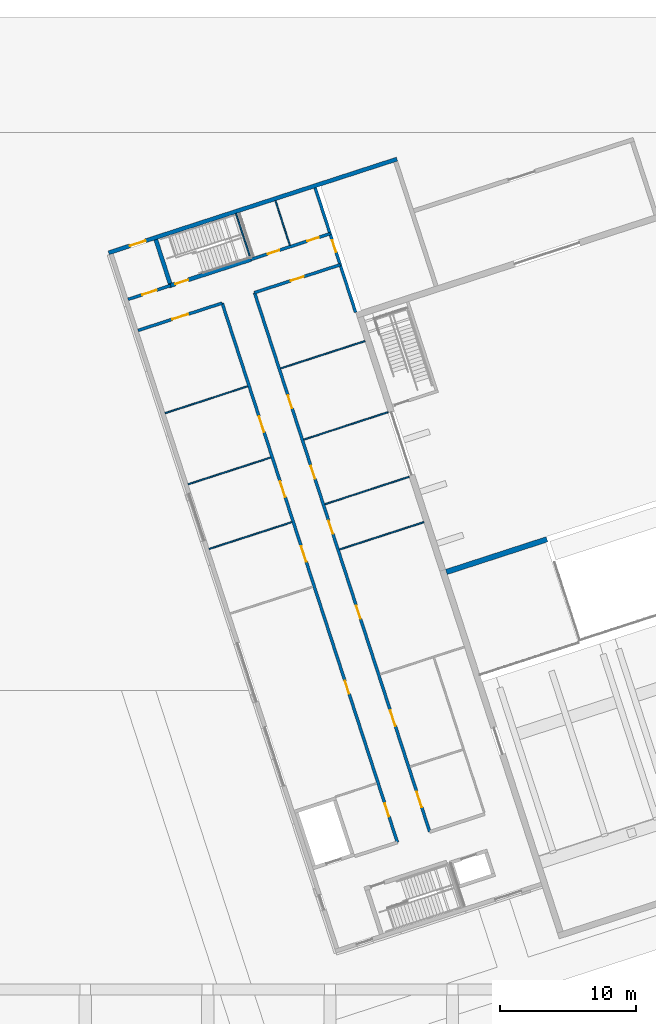
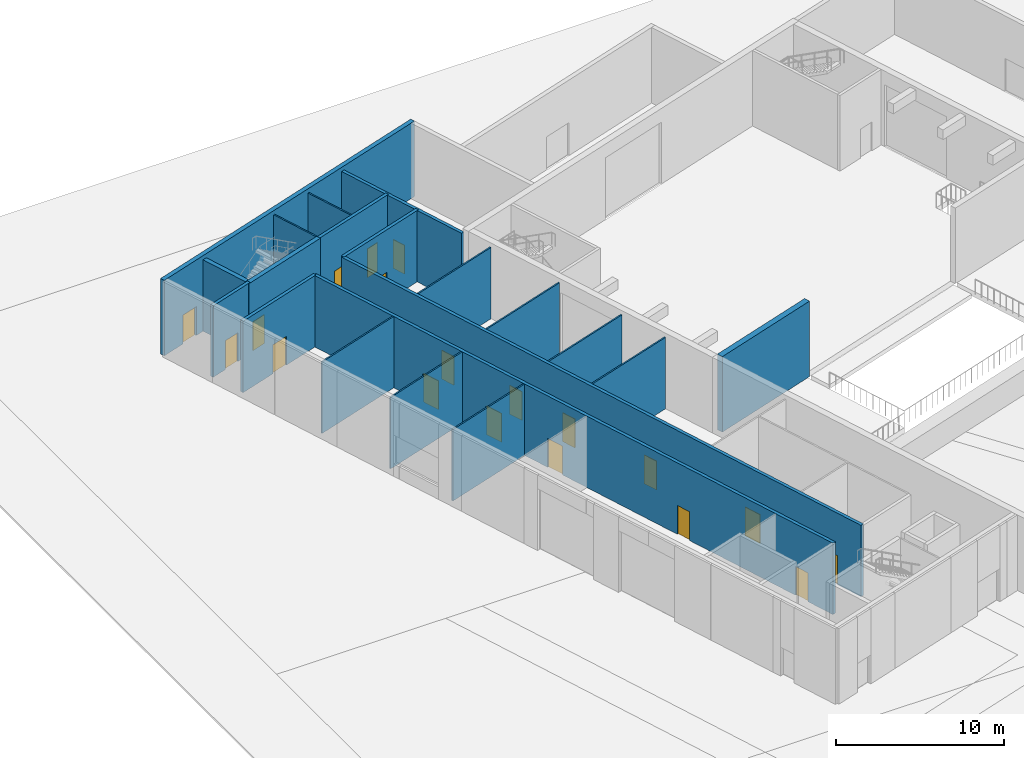
# One storey, part 54 of 72: 20 walls, 19 doors, 19 openings.
"""IFC4 building model written with IfcOpenShell, lengths in metres."""

from ifc_helpers import new_model, si_unit, direction, frame, frame_2d, origin, place, context, subcontext, project, spatial, rectangle, extrude, material, layer, layer_set, type_object, element, fill, save


model = new_model("IFC4")

# Units and contexts
model_context = context("Model", 3, precision=1e-05, world=origin(), true_north=direction((0.0, 1.0)))
body_context = subcontext(model_context, "Body", "Model", "MODEL_VIEW")
ifc_project = project(units=[si_unit("LENGTHUNIT", "METRE"), si_unit("AREAUNIT", "SQUARE_METRE"), si_unit("VOLUMEUNIT", "CUBIC_METRE"), si_unit("PLANEANGLEUNIT", "RADIAN"), si_unit("MASSUNIT", "GRAM", prefix="KILO")], contexts=[model_context])

# Site, building, storey
site_placement = place(None, origin())
site = spatial("IfcSite", under=ifc_project, at=site_placement, CompositionType="ELEMENT")
building_placement = place(site_placement, origin())
building = spatial("IfcBuilding", under=site, at=building_placement, Name="Tuart Plaza Theatre", CompositionType="ELEMENT")
storey_placement = place(building_placement, origin())
storey = spatial("IfcBuildingStorey", under=building, at=storey_placement, Name="L00", CompositionType="ELEMENT", Elevation=0.0)

# Walls
ifc_material_1 = material(Name="Plasterboard on steel stud", Category="steel")
ifc_layer_1 = layer(ifc_material_1, 0.10009765625)
ifc_layer_set_1 = layer_set([ifc_layer_1], Name="PARTITION STD100")
wall_type_1 = type_object("IfcWallType", Name="PARTITION STD100", PredefinedType="PARTITIONING", material=ifc_layer_set_1)
wall_1_placement = place(storey_placement, frame((33.701416015625, 70.35107421875, 0.0), z_axis=(0.0, 0.0, 1.0), x_axis=(0.951058024796, 0.309012351648, 0.0)))
element("IfcWall", 1, at=wall_1_placement, inside=storey, type_object=wall_type_1, Name="P221", PredefinedType="PARTITIONING", context=body_context, shape_type="SweptSolid", body=[
    extrude(rectangle(XDim=6.514892578125, YDim=0.10009765625, at=frame_2d((3.25732421875, 0.0))), origin(), (0.0, 0.0, 1.0), 5.199951171875),
])
wall_2_placement = place(storey_placement, frame((24.110107421875, 70.38916015625, 0.0), z_axis=(0.0, 0.0, 1.0), x_axis=(0.951059053869, 0.309009184417, 0.0)))
element("IfcWall", 2, at=wall_2_placement, inside=storey, type_object=wall_type_1, Name="P222", PredefinedType="PARTITIONING", context=body_context, shape_type="SweptSolid", body=[
    extrude(rectangle(XDim=6.39013671875, YDim=0.10009765625, at=frame_2d((3.195068359375, 0.0))), origin(), (0.0, 0.0, 1.0), 5.199951171875),
])
wall_3_placement = place(storey_placement, frame((32.619873046875, 73.6796875, 0.0), z_axis=(0.0, 0.0, 1.0), x_axis=(0.951058024796, 0.309012351648, 0.0)))
element("IfcWall", 3, at=wall_3_placement, inside=storey, type_object=wall_type_1, Name="P223", PredefinedType="PARTITIONING", context=body_context, shape_type="SweptSolid", body=[
    extrude(rectangle(XDim=6.514892578125, YDim=0.10009765625, at=frame_2d((3.25732421875, 0.0))), origin(), (0.0, 0.0, 1.0), 5.199951171875),
])
wall_4_placement = place(storey_placement, frame((22.565185546875, 75.144287109375, 0.0), z_axis=(0.0, 0.0, 1.0), x_axis=(0.951055405517, 0.309020412977, 0.0)))
element("IfcWall", 4, at=wall_4_placement, inside=storey, type_object=wall_type_1, Name="P224", PredefinedType="PARTITIONING", context=body_context, shape_type="SweptSolid", body=[
    extrude(rectangle(XDim=6.389892578125, YDim=0.10009765625, at=frame_2d((3.19482421875, 0.0))), origin(), (0.0, 0.0, 1.0), 5.199951171875),
])
wall_5_placement = place(storey_placement, frame((31.07470703125, 78.43505859375, 0.0), z_axis=(0.0, 0.0, 1.0), x_axis=(0.951058024796, 0.309012351648, 0.0)))
element("IfcWall", 5, at=wall_5_placement, inside=storey, type_object=wall_type_1, Name="P225", PredefinedType="PARTITIONING", context=body_context, shape_type="SweptSolid", body=[
    extrude(rectangle(XDim=6.514892578125, YDim=0.10009765625, at=frame_2d((3.25732421875, 0.0))), origin(), (0.0, 0.0, 1.0), 5.199951171875),
])
wall_6_placement = place(storey_placement, frame((20.865478515625, 80.375244140625, 0.0), z_axis=(0.0, 0.0, 1.0), x_axis=(0.951055405517, 0.309020412977, 0.0)))
element("IfcWall", 6, at=wall_6_placement, inside=storey, type_object=wall_type_1, Name="P226", PredefinedType="PARTITIONING", context=body_context, shape_type="SweptSolid", body=[
    extrude(rectangle(XDim=6.389892578125, YDim=0.10009765625, at=frame_2d((3.19482421875, 0.0))), origin(), (0.0, 0.0, 1.0), 5.199951171875),
])
wall_7_placement = place(storey_placement, frame((29.375, 83.665771484375, 0.0), z_axis=(0.0, 0.0, 1.0), x_axis=(0.951061602966, 0.309001338773, 0.0)))
element("IfcWall", 7, at=wall_7_placement, inside=storey, type_object=wall_type_1, Name="P227", PredefinedType="PARTITIONING", context=body_context, shape_type="SweptSolid", body=[
    extrude(rectangle(XDim=6.51513671875, YDim=0.10009765625, at=frame_2d((3.257568359375, 0.0))), origin(), (0.0, 0.0, 1.0), 5.199951171875),
])
wall_8_placement = place(storey_placement, frame((30.0478515625, 92.727294921875, 0.0), z_axis=(0.0, 0.0, 1.0), x_axis=(-0.309021877853, 0.951054929543, 0.0)))
element("IfcWall", 8, at=wall_8_placement, inside=storey, type_object=wall_type_1, Name="P230", PredefinedType="PARTITIONING", context=body_context, shape_type="SweptSolid", body=[
    extrude(rectangle(XDim=3.43994140625, YDim=0.10009765625, at=frame_2d((1.719970703125, 0.0))), origin(), (0.0, 0.0, 1.0), 5.199951171875),
])
ifc_material_2 = material(Name="Plasterboard on steel stud", Category="steel")
ifc_layer_2 = layer(ifc_material_2, 0.10009765625)
ifc_layer_set_2 = layer_set([ifc_layer_2], Name="PARTITION STD100 FRL 120/120/120")
wall_type_2 = type_object("IfcWallType", Name="PARTITION STD100 FRL 120/120/120", PredefinedType="PARTITIONING", material=ifc_layer_set_2)
wall_9_placement = place(storey_placement, frame((27.134765625, 91.82275390625, 0.0), z_axis=(0.0, 0.0, 1.0), x_axis=(-0.308980533303, 0.951068362443, 0.0)))
element("IfcWall", 9, at=wall_9_placement, inside=storey, type_object=wall_type_2, Name="P229", PredefinedType="PARTITIONING", context=body_context, shape_type="SweptSolid", body=[
    extrude(rectangle(XDim=3.39990234375, YDim=0.10009765625, at=frame_2d((1.699951171875, 0.0))), origin(), (0.0, 0.0, 1.0), 5.199951171875),
])
ifc_material_3 = material(Name="Concrete N50 (50 MPa)", Category="concrete")
ifc_layer_3 = layer(ifc_material_3, 0.39990234375)
ifc_layer_set_3 = layer_set([ifc_layer_3], Name="SHEAR WALL RC400 N50 FRL 120/120/120")
wall_type_3 = type_object("IfcWallType", Name="SHEAR WALL RC400 N50 FRL 120/120/120", PredefinedType="SHEAR", material=ifc_layer_set_3)
wall_10_placement = place(storey_placement, frame((41.5615234375, 68.69921875, 0.0), z_axis=(0.0, 0.0, 1.0), x_axis=(0.95105806443, 0.309012229664, 0.0)))
element("IfcWall", 10, at=wall_10_placement, inside=storey, type_object=wall_type_3, Name="W50", PredefinedType="SHEAR", context=body_context, shape_type="SweptSolid", body=[
    extrude(rectangle(XDim=7.775146484375, YDim=0.39990234375, at=frame_2d((3.8876953125, 0.0))), origin(), (0.0, 0.0, 1.0), 5.5),
])

# Wall, openings, doors
ifc_material_4 = material(Name="Concrete N40 (40 MPa)", Category="concrete")
ifc_layer_4 = layer(ifc_material_4, 0.219970703125)
ifc_layer_set_4 = layer_set([ifc_layer_4], Name="WALL RC220 LB FRL 120/120/120")
wall_type_4 = type_object("IfcWallType", Name="WALL RC220 LB FRL 120/120/120", PredefinedType="SOLIDWALL", material=ifc_layer_set_4)
wall_11_placement = place(storey_placement, frame((37.95556640625, 48.8115234375, 0.0), z_axis=(0.0, 0.0, 1.0), x_axis=(-0.30901736393, 0.951056396219, 0.0)))
wall_11 = element("IfcWall", 11, at=wall_11_placement, inside=storey, type_object=wall_type_4, Name="W503", PredefinedType="SOLIDWALL", context=body_context, shape_type="SweptSolid", body=[
    extrude(rectangle(XDim=41.699951171875, YDim=0.219970703125, at=frame_2d((20.85009765625, 0.0))), origin(), (0.0, 0.0, 1.0), 5.199951171875),
])
opening_1_placement = place(wall_11_placement, frame((2.009033203125, 0.0, 0.0)))
opening_1 = element("IfcOpeningElement", 12, at=opening_1_placement, cuts=wall_11, Name="Opening L00-022", PredefinedType="OPENING", context=body_context, shape_type="SweptSolid", body=[
    extrude(rectangle(XDim=1.0, YDim=2.10009765625, at=frame_2d((0.5, 1.050048828125))), frame((0.0, 0.119873046875, 0.0), z_axis=(0.0, -1.0, 0.0), x_axis=(1.0, 0.0, 0.0)), (0.0, 0.0, 1.0), 0.239990234375),
])
opening_2_placement = place(wall_11_placement, frame((11.49462890625, 0.0, 0.0)))
opening_2 = element("IfcOpeningElement", 13, at=opening_2_placement, cuts=wall_11, Name="Opening L00-023", PredefinedType="OPENING", context=body_context, shape_type="SweptSolid", body=[
    extrude(rectangle(XDim=1.0, YDim=2.10009765625, at=frame_2d((0.5, 1.050048828125))), frame((0.0, 0.119873046875, 0.0), z_axis=(0.0, -1.0, 0.0), x_axis=(1.0, 0.0, 0.0)), (0.0, 0.0, 1.0), 0.239990234375),
])
opening_3_placement = place(wall_11_placement, frame((21.699951171875, 0.0, 0.0)))
opening_3 = element("IfcOpeningElement", 14, at=opening_3_placement, cuts=wall_11, Name="Opening L00-024", PredefinedType="OPENING", context=body_context, shape_type="SweptSolid", body=[
    extrude(rectangle(XDim=1.199951171875, YDim=2.10009765625, at=frame_2d((0.60009765625, 1.050048828125))), frame((0.0, 0.119873046875, 0.0), z_axis=(0.0, -1.0, 0.0), x_axis=(1.0, 0.0, 0.0)), (0.0, 0.0, 1.0), 0.239990234375),
])
opening_4_placement = place(wall_11_placement, frame((26.699951171875, 0.0, 0.0)))
opening_4 = element("IfcOpeningElement", 15, at=opening_4_placement, cuts=wall_11, Name="Opening L00-025", PredefinedType="OPENING", context=body_context, shape_type="SweptSolid", body=[
    extrude(rectangle(XDim=1.199951171875, YDim=2.10009765625, at=frame_2d((0.60009765625, 1.050048828125))), frame((0.0, 0.119873046875, 0.0), z_axis=(0.0, -1.0, 0.0), x_axis=(1.0, 0.0, 0.0)), (0.0, 0.0, 1.0), 0.239990234375),
])
opening_5_placement = place(wall_11_placement, frame((31.738525390625, 0.0, 0.0)))
opening_5 = element("IfcOpeningElement", 16, at=opening_5_placement, cuts=wall_11, Name="Opening L00-026", PredefinedType="OPENING", context=body_context, shape_type="SweptSolid", body=[
    extrude(rectangle(XDim=1.199951171875, YDim=2.10009765625, at=frame_2d((0.60009765625, 1.050048828125))), frame((0.0, 0.119873046875, 0.0), z_axis=(0.0, -1.0, 0.0), x_axis=(1.0, 0.0, 0.0)), (0.0, 0.0, 1.0), 0.239990234375),
])
ifc_material_5 = material(Name="Timber", Category="wood")
door_type_1 = type_object("IfcDoorType", Name="DOOR 1000x2100 timber single swing FRL -/120/30", OperationType="SINGLE_SWING_LEFT", PredefinedType="DOOR", material=ifc_material_5)
door_1_placement = place(opening_1_placement, origin())
door_1 = element("IfcDoor", 17, at=door_1_placement, inside=storey, type_object=door_type_1, Name="L00-022", OperationType="SINGLE_SWING_LEFT", OverallHeight=2.10009765625, OverallWidth=1.0, PredefinedType="DOOR", context=body_context, shape_type="SweptSolid", body=[
    extrude(rectangle(XDim=1.0, YDim=2.10009765625, at=frame_2d((0.5, 1.050048828125))), frame((0.0, 0.02490234375, 0.0), z_axis=(0.0, -1.0, 0.0), x_axis=(1.0, 0.0, 0.0)), (0.0, 0.0, 1.0), 0.050048828125),
])
fill(opening_1, door_1)
door_2_placement = place(opening_2_placement, origin())
door_2 = element("IfcDoor", 18, at=door_2_placement, inside=storey, type_object=door_type_1, Name="L00-023", OperationType="SINGLE_SWING_RIGHT", OverallHeight=2.10009765625, OverallWidth=1.0, PredefinedType="DOOR", context=body_context, shape_type="SweptSolid", body=[
    extrude(rectangle(XDim=1.0, YDim=2.10009765625, at=frame_2d((0.5, 1.050048828125))), frame((0.0, 0.02490234375, 0.0), z_axis=(0.0, -1.0, 0.0), x_axis=(1.0, 0.0, 0.0)), (0.0, 0.0, 1.0), 0.050048828125),
])
fill(opening_2, door_2)
ifc_material_6 = material(Name="Timber", Category="wood")
door_type_2 = type_object("IfcDoorType", Name="DOOR 1200x2100 timber single swing FRL -/120/30", OperationType="SINGLE_SWING_LEFT", PredefinedType="DOOR", material=ifc_material_6)
door_3_placement = place(opening_3_placement, origin())
door_3 = element("IfcDoor", 19, at=door_3_placement, inside=storey, type_object=door_type_2, Name="L00-024", OperationType="SINGLE_SWING_LEFT", OverallHeight=2.10009765625, OverallWidth=1.199951171875, PredefinedType="DOOR", context=body_context, shape_type="SweptSolid", body=[
    extrude(rectangle(XDim=1.199951171875, YDim=2.10009765625, at=frame_2d((0.60009765625, 1.050048828125))), frame((0.0, 0.02490234375, 0.0), z_axis=(0.0, -1.0, 0.0), x_axis=(1.0, 0.0, 0.0)), (0.0, 0.0, 1.0), 0.050048828125),
])
fill(opening_3, door_3)
door_4_placement = place(opening_4_placement, origin())
door_4 = element("IfcDoor", 20, at=door_4_placement, inside=storey, type_object=door_type_2, Name="L00-025", OperationType="SINGLE_SWING_LEFT", OverallHeight=2.10009765625, OverallWidth=1.199951171875, PredefinedType="DOOR", context=body_context, shape_type="SweptSolid", body=[
    extrude(rectangle(XDim=1.199951171875, YDim=2.10009765625, at=frame_2d((0.60009765625, 1.050048828125))), frame((0.0, 0.02490234375, 0.0), z_axis=(0.0, -1.0, 0.0), x_axis=(1.0, 0.0, 0.0)), (0.0, 0.0, 1.0), 0.050048828125),
])
fill(opening_4, door_4)
door_5_placement = place(opening_5_placement, origin())
door_5 = element("IfcDoor", 21, at=door_5_placement, inside=storey, type_object=door_type_2, Name="L00-026", OperationType="SINGLE_SWING_LEFT", OverallHeight=2.10009765625, OverallWidth=1.199951171875, PredefinedType="DOOR", context=body_context, shape_type="SweptSolid", body=[
    extrude(rectangle(XDim=1.199951171875, YDim=2.10009765625, at=frame_2d((0.60009765625, 1.050048828125))), frame((0.0, 0.02490234375, 0.0), z_axis=(0.0, -1.0, 0.0), x_axis=(1.0, 0.0, 0.0)), (0.0, 0.0, 1.0), 0.050048828125),
])
fill(opening_5, door_5)

wall_12_placement = place(storey_placement, frame((40.333251953125, 49.583984375, 0.0), z_axis=(0.0, 0.0, 1.0), x_axis=(-0.309015643281, 0.951056955291, 0.0)))
wall_12 = element("IfcWall", 22, at=wall_12_placement, inside=storey, type_object=wall_type_4, Name="W504", PredefinedType="SOLIDWALL", context=body_context, shape_type="SweptSolid", body=[
    extrude(rectangle(XDim=41.7001953125, YDim=0.219970703125, at=frame_2d((20.85009765625, 0.0))), origin(), (0.0, 0.0, 1.0), 5.199951171875),
])
opening_6_placement = place(wall_12_placement, frame((1.89990234375, 0.0, 0.0)))
opening_6 = element("IfcOpeningElement", 23, at=opening_6_placement, cuts=wall_12, Name="Opening L00-028", PredefinedType="OPENING", context=body_context, shape_type="SweptSolid", body=[
    extrude(rectangle(XDim=1.199951171875, YDim=2.10009765625, at=frame_2d((0.60009765625, 1.050048828125))), frame((0.0, 0.119873046875, 0.0), z_axis=(0.0, -1.0, 0.0), x_axis=(1.0, 0.0, 0.0)), (0.0, 0.0, 1.0), 0.239990234375),
])
opening_7_placement = place(wall_12_placement, frame((8.185302734375, 0.0, 0.0)))
opening_7 = element("IfcOpeningElement", 24, at=opening_7_placement, cuts=wall_12, Name="Opening L00-029", PredefinedType="OPENING", context=body_context, shape_type="SweptSolid", body=[
    extrude(rectangle(XDim=1.199951171875, YDim=2.10009765625, at=frame_2d((0.60009765625, 1.050048828125))), frame((0.0, 0.119873046875, 0.0), z_axis=(0.0, -1.0, 0.0), x_axis=(1.0, 0.0, 0.0)), (0.0, 0.0, 1.0), 0.239990234375),
])
opening_8_placement = place(wall_12_placement, frame((16.47509765625, 0.0, 0.0)))
opening_8 = element("IfcOpeningElement", 25, at=opening_8_placement, cuts=wall_12, Name="Opening L00-030", PredefinedType="OPENING", context=body_context, shape_type="SweptSolid", body=[
    extrude(rectangle(XDim=1.0, YDim=2.10009765625, at=frame_2d((0.5, 1.050048828125))), frame((0.0, 0.119873046875, 0.0), z_axis=(0.0, -1.0, 0.0), x_axis=(1.0, 0.0, 0.0)), (0.0, 0.0, 1.0), 0.239990234375),
])
opening_9_placement = place(wall_12_placement, frame((23.050048828125, 0.0, 0.0)))
opening_9 = element("IfcOpeningElement", 26, at=opening_9_placement, cuts=wall_12, Name="Opening L00-031", PredefinedType="OPENING", context=body_context, shape_type="SweptSolid", body=[
    extrude(rectangle(XDim=1.0, YDim=2.10009765625, at=frame_2d((0.5, 1.050048828125))), frame((0.0, 0.119873046875, 0.0), z_axis=(0.0, -1.0, 0.0), x_axis=(1.0, 0.0, 0.0)), (0.0, 0.0, 1.0), 0.239990234375),
])
opening_10_placement = place(wall_12_placement, frame((27.300048828125, 0.0, 0.0)))
opening_10 = element("IfcOpeningElement", 27, at=opening_10_placement, cuts=wall_12, Name="Opening L00-032", PredefinedType="OPENING", context=body_context, shape_type="SweptSolid", body=[
    extrude(rectangle(XDim=1.0, YDim=2.10009765625, at=frame_2d((0.5, 1.050048828125))), frame((0.0, 0.119873046875, 0.0), z_axis=(0.0, -1.0, 0.0), x_axis=(1.0, 0.0, 0.0)), (0.0, 0.0, 1.0), 0.239990234375),
])
opening_11_placement = place(wall_12_placement, frame((32.761474609375, 0.0, 0.0)))
opening_11 = element("IfcOpeningElement", 28, at=opening_11_placement, cuts=wall_12, Name="Opening L00-033", PredefinedType="OPENING", context=body_context, shape_type="SweptSolid", body=[
    extrude(rectangle(XDim=1.0, YDim=2.10009765625, at=frame_2d((0.5, 1.050048828125))), frame((0.0, 0.119873046875, 0.0), z_axis=(0.0, -1.0, 0.0), x_axis=(1.0, 0.0, 0.0)), (0.0, 0.0, 1.0), 0.239990234375),
])
door_6_placement = place(opening_8_placement, frame((1.0, 0.0, 0.0), z_axis=(0.0, 0.0, 1.0), x_axis=(-1.0, 0.0, 0.0)))
door_6 = element("IfcDoor", 29, at=door_6_placement, inside=storey, type_object=door_type_1, Name="L00-030", OperationType="SINGLE_SWING_LEFT", OverallHeight=2.10009765625, OverallWidth=1.0, PredefinedType="DOOR", context=body_context, shape_type="SweptSolid", body=[
    extrude(rectangle(XDim=1.0, YDim=2.10009765625, at=frame_2d((0.5, 1.050048828125))), frame((0.0, 0.02490234375, 0.0), z_axis=(0.0, -1.0, 0.0), x_axis=(1.0, 0.0, 0.0)), (0.0, 0.0, 1.0), 0.050048828125),
])
fill(opening_8, door_6)
door_7_placement = place(opening_9_placement, frame((1.0, 0.0, 0.0), z_axis=(0.0, 0.0, 1.0), x_axis=(-1.0, 0.0, 0.0)))
door_7 = element("IfcDoor", 30, at=door_7_placement, inside=storey, type_object=door_type_1, Name="L00-031", OperationType="SINGLE_SWING_RIGHT", OverallHeight=2.10009765625, OverallWidth=1.0, PredefinedType="DOOR", context=body_context, shape_type="SweptSolid", body=[
    extrude(rectangle(XDim=1.0, YDim=2.10009765625, at=frame_2d((0.5, 1.050048828125))), frame((0.0, 0.02490234375, 0.0), z_axis=(0.0, -1.0, 0.0), x_axis=(1.0, 0.0, 0.0)), (0.0, 0.0, 1.0), 0.050048828125),
])
fill(opening_9, door_7)
door_8_placement = place(opening_10_placement, frame((1.0, 0.0, 0.0), z_axis=(0.0, 0.0, 1.0), x_axis=(-1.0, 0.0, 0.0)))
door_8 = element("IfcDoor", 31, at=door_8_placement, inside=storey, type_object=door_type_1, Name="L00-032", OperationType="SINGLE_SWING_RIGHT", OverallHeight=2.10009765625, OverallWidth=1.0, PredefinedType="DOOR", context=body_context, shape_type="SweptSolid", body=[
    extrude(rectangle(XDim=1.0, YDim=2.10009765625, at=frame_2d((0.5, 1.050048828125))), frame((0.0, 0.02490234375, 0.0), z_axis=(0.0, -1.0, 0.0), x_axis=(1.0, 0.0, 0.0)), (0.0, 0.0, 1.0), 0.050048828125),
])
fill(opening_10, door_8)
door_9_placement = place(opening_11_placement, frame((1.0, 0.0, 0.0), z_axis=(0.0, 0.0, 1.0), x_axis=(-1.0, 0.0, 0.0)))
door_9 = element("IfcDoor", 32, at=door_9_placement, inside=storey, type_object=door_type_1, Name="L00-033", OperationType="SINGLE_SWING_LEFT", OverallHeight=2.10009765625, OverallWidth=1.0, PredefinedType="DOOR", context=body_context, shape_type="SweptSolid", body=[
    extrude(rectangle(XDim=1.0, YDim=2.10009765625, at=frame_2d((0.5, 1.050048828125))), frame((0.0, 0.02490234375, 0.0), z_axis=(0.0, -1.0, 0.0), x_axis=(1.0, 0.0, 0.0)), (0.0, 0.0, 1.0), 0.050048828125),
])
fill(opening_11, door_9)
door_10_placement = place(opening_6_placement, frame((1.199951171875, 0.0, 0.0), z_axis=(0.0, 0.0, 1.0), x_axis=(-1.0, 0.0, 0.0)))
door_10 = element("IfcDoor", 33, at=door_10_placement, inside=storey, type_object=door_type_2, Name="L00-028", OperationType="SINGLE_SWING_LEFT", OverallHeight=2.10009765625, OverallWidth=1.199951171875, PredefinedType="DOOR", context=body_context, shape_type="SweptSolid", body=[
    extrude(rectangle(XDim=1.199951171875, YDim=2.10009765625, at=frame_2d((0.60009765625, 1.050048828125))), frame((0.0, 0.02490234375, 0.0), z_axis=(0.0, -1.0, 0.0), x_axis=(1.0, 0.0, 0.0)), (0.0, 0.0, 1.0), 0.050048828125),
])
fill(opening_6, door_10)
door_11_placement = place(opening_7_placement, frame((1.199951171875, 0.0, 0.0), z_axis=(0.0, 0.0, 1.0), x_axis=(-1.0, 0.0, 0.0)))
door_11 = element("IfcDoor", 34, at=door_11_placement, inside=storey, type_object=door_type_2, Name="L00-029", OperationType="SINGLE_SWING_LEFT", OverallHeight=2.10009765625, OverallWidth=1.199951171875, PredefinedType="DOOR", context=body_context, shape_type="SweptSolid", body=[
    extrude(rectangle(XDim=1.199951171875, YDim=2.10009765625, at=frame_2d((0.60009765625, 1.050048828125))), frame((0.0, 0.02490234375, 0.0), z_axis=(0.0, -1.0, 0.0), x_axis=(1.0, 0.0, 0.0)), (0.0, 0.0, 1.0), 0.050048828125),
])
fill(opening_7, door_11)

# Wall, opening, door
wall_13_placement = place(storey_placement, frame((18.8876953125, 86.4619140625, 0.0), z_axis=(0.0, 0.0, 1.0), x_axis=(0.951059735424, 0.30900708674, 0.0)))
wall_13 = element("IfcWall", 35, at=wall_13_placement, inside=storey, type_object=wall_type_4, Name="W507", PredefinedType="SOLIDWALL", context=body_context, shape_type="SweptSolid", body=[
    extrude(rectangle(XDim=6.5, YDim=0.219970703125, at=frame_2d((3.25, 0.0))), origin(), (0.0, 0.0, 1.0), 5.199951171875),
])
opening_12_placement = place(wall_13_placement, frame((2.64990234375, 0.0, 0.0)))
opening_12 = element("IfcOpeningElement", 36, at=opening_12_placement, cuts=wall_13, Name="Opening L00-027", PredefinedType="OPENING", context=body_context, shape_type="SweptSolid", body=[
    extrude(rectangle(XDim=1.199951171875, YDim=2.10009765625, at=frame_2d((0.60009765625, 1.050048828125))), frame((0.0, 0.119873046875, 0.0), z_axis=(0.0, -1.0, 0.0), x_axis=(1.0, 0.0, 0.0)), (0.0, 0.0, 1.0), 0.239990234375),
])
door_12_placement = place(opening_12_placement, frame((1.199951171875, 0.0, 0.0), z_axis=(0.0, 0.0, 1.0), x_axis=(-1.0, 0.0, 0.0)))
door_12 = element("IfcDoor", 37, at=door_12_placement, inside=storey, type_object=door_type_2, Name="L00-027", OperationType="SINGLE_SWING_LEFT", OverallHeight=2.10009765625, OverallWidth=1.199951171875, PredefinedType="DOOR", context=body_context, shape_type="SweptSolid", body=[
    extrude(rectangle(XDim=1.199951171875, YDim=2.10009765625, at=frame_2d((0.60009765625, 1.050048828125))), frame((0.0, 0.02490234375, 0.0), z_axis=(0.0, -1.0, 0.0), x_axis=(1.0, 0.0, 0.0)), (0.0, 0.0, 1.0), 0.050048828125),
])
fill(opening_12, door_12)

wall_14_placement = place(storey_placement, frame((27.447265625, 89.2431640625, 0.0), z_axis=(0.0, 0.0, 1.0), x_axis=(0.951062229373, 0.308999410776, 0.0)))
wall_14 = element("IfcWall", 38, at=wall_14_placement, inside=storey, type_object=wall_type_4, Name="W508", PredefinedType="SOLIDWALL", context=body_context, shape_type="SweptSolid", body=[
    extrude(rectangle(XDim=6.625, YDim=0.219970703125, at=frame_2d((3.3125, 0.0))), origin(), (0.0, 0.0, 1.0), 5.199951171875),
])
opening_13_placement = place(wall_14_placement, frame((2.8125, 0.0, 0.0)))
opening_13 = element("IfcOpeningElement", 39, at=opening_13_placement, cuts=wall_14, Name="Opening L00-034", PredefinedType="OPENING", context=body_context, shape_type="SweptSolid", body=[
    extrude(rectangle(XDim=1.0, YDim=2.10009765625, at=frame_2d((0.5, 1.050048828125))), frame((0.0, 0.119873046875, 0.0), z_axis=(0.0, -1.0, 0.0), x_axis=(1.0, 0.0, 0.0)), (0.0, 0.0, 1.0), 0.239990234375),
])
door_13_placement = place(opening_13_placement, frame((1.0, 0.0, 0.0), z_axis=(0.0, 0.0, 1.0), x_axis=(-1.0, 0.0, 0.0)))
door_13 = element("IfcDoor", 40, at=door_13_placement, inside=storey, type_object=door_type_1, Name="L00-034", OperationType="SINGLE_SWING_LEFT", OverallHeight=2.10009765625, OverallWidth=1.0, PredefinedType="DOOR", context=body_context, shape_type="SweptSolid", body=[
    extrude(rectangle(XDim=1.0, YDim=2.10009765625, at=frame_2d((0.5, 1.050048828125))), frame((0.0, 0.02490234375, 0.0), z_axis=(0.0, -1.0, 0.0), x_axis=(1.0, 0.0, 0.0)), (0.0, 0.0, 1.0), 0.050048828125),
])
fill(opening_13, door_13)

wall_15_placement = place(storey_placement, frame((18.146240234375, 88.744384765625, 0.0), z_axis=(0.0, 0.0, 1.0), x_axis=(0.951053095941, 0.309027520945, 0.0)))
wall_15 = element("IfcWall", 41, at=wall_15_placement, inside=storey, type_object=wall_type_4, Name="W509", PredefinedType="SOLIDWALL", context=body_context, shape_type="SweptSolid", body=[
    extrude(rectangle(XDim=3.300048828125, YDim=0.219970703125, at=frame_2d((1.64990234375, 0.0))), origin(), (0.0, 0.0, 1.0), 5.199951171875),
])
opening_14_placement = place(wall_15_placement, frame((1.10009765625, 0.0, 0.0)))
opening_14 = element("IfcOpeningElement", 42, at=opening_14_placement, cuts=wall_15, Name="Opening L00-018", PredefinedType="OPENING", context=body_context, shape_type="SweptSolid", body=[
    extrude(rectangle(XDim=1.10009765625, YDim=2.10009765625, at=frame_2d((0.550048828125, 1.050048828125))), frame((0.0, 0.119873046875, 0.0), z_axis=(0.0, -1.0, 0.0), x_axis=(1.0, 0.0, 0.0)), (0.0, 0.0, 1.0), 0.239990234375),
])
ifc_material_7 = material(Name="Timber", Category="wood")
door_type_3 = type_object("IfcDoorType", Name="DOOR 1100x2100 timber single swing FRL -/120/30", OperationType="SINGLE_SWING_LEFT", PredefinedType="DOOR", material=ifc_material_7)
door_14_placement = place(opening_14_placement, origin())
door_14 = element("IfcDoor", 43, at=door_14_placement, inside=storey, type_object=door_type_3, Name="L00-018", OperationType="SINGLE_SWING_LEFT", OverallHeight=2.10009765625, OverallWidth=1.10009765625, PredefinedType="DOOR", context=body_context, shape_type="SweptSolid", body=[
    extrude(rectangle(XDim=1.10009765625, YDim=2.10009765625, at=frame_2d((0.550048828125, 1.050048828125))), frame((0.0, 0.02490234375, 0.0), z_axis=(0.0, -1.0, 0.0), x_axis=(1.0, 0.0, 0.0)), (0.0, 0.0, 1.0), 0.050048828125),
])
fill(opening_14, door_14)

# Wall, openings, doors
wall_16_placement = place(storey_placement, frame((27.18115234375, 91.68017578125, 0.0), z_axis=(0.0, 0.0, 1.0), x_axis=(0.951063356831, 0.308995940577, 0.0)))
wall_16 = element("IfcWall", 44, at=wall_16_placement, inside=storey, type_object=wall_type_4, Name="W510", PredefinedType="SOLIDWALL", context=body_context, shape_type="SweptSolid", body=[
    extrude(rectangle(XDim=6.125, YDim=0.219970703125, at=frame_2d((3.0625, 0.0))), origin(), (0.0, 0.0, 1.0), 5.199951171875),
])
opening_15_placement = place(wall_16_placement, frame((1.29296875, 0.0, 0.0)))
opening_15 = element("IfcOpeningElement", 45, at=opening_15_placement, cuts=wall_16, Name="Opening L00-019", PredefinedType="OPENING", context=body_context, shape_type="SweptSolid", body=[
    extrude(rectangle(XDim=0.89990234375, YDim=2.10009765625, at=frame_2d((0.449951171875, 1.050048828125))), frame((0.0, 0.119873046875, 0.0), z_axis=(0.0, -1.0, 0.0), x_axis=(1.0, 0.0, 0.0)), (0.0, 0.0, 1.0), 0.239990234375),
])
opening_16_placement = place(wall_16_placement, frame((4.357177734375, 0.0, 0.0)))
opening_16 = element("IfcOpeningElement", 46, at=opening_16_placement, cuts=wall_16, Name="Opening L00-020", PredefinedType="OPENING", context=body_context, shape_type="SweptSolid", body=[
    extrude(rectangle(XDim=0.89990234375, YDim=2.10009765625, at=frame_2d((0.449951171875, 1.050048828125))), frame((0.0, 0.119873046875, 0.0), z_axis=(0.0, -1.0, 0.0), x_axis=(1.0, 0.0, 0.0)), (0.0, 0.0, 1.0), 0.239990234375),
])
ifc_material_8 = material(Name="Timber", Category="wood")
door_type_4 = type_object("IfcDoorType", Name="DOOR 900x2100 timber single swing FRL -/120/30", OperationType="SINGLE_SWING_LEFT", PredefinedType="DOOR", material=ifc_material_8)
door_15_placement = place(opening_15_placement, origin())
door_15 = element("IfcDoor", 47, at=door_15_placement, inside=storey, type_object=door_type_4, Name="L00-019", OperationType="SINGLE_SWING_RIGHT", OverallHeight=2.10009765625, OverallWidth=0.89990234375, PredefinedType="DOOR", context=body_context, shape_type="SweptSolid", body=[
    extrude(rectangle(XDim=0.89990234375, YDim=2.10009765625, at=frame_2d((0.449951171875, 1.050048828125))), frame((0.0, 0.02490234375, 0.0), z_axis=(0.0, -1.0, 0.0), x_axis=(1.0, 0.0, 0.0)), (0.0, 0.0, 1.0), 0.050048828125),
])
fill(opening_15, door_15)
door_16_placement = place(opening_16_placement, origin())
door_16 = element("IfcDoor", 48, at=door_16_placement, inside=storey, type_object=door_type_4, Name="L00-020", OperationType="SINGLE_SWING_LEFT", OverallHeight=2.10009765625, OverallWidth=0.89990234375, PredefinedType="DOOR", context=body_context, shape_type="SweptSolid", body=[
    extrude(rectangle(XDim=0.89990234375, YDim=2.10009765625, at=frame_2d((0.449951171875, 1.050048828125))), frame((0.0, 0.02490234375, 0.0), z_axis=(0.0, -1.0, 0.0), x_axis=(1.0, 0.0, 0.0)), (0.0, 0.0, 1.0), 0.050048828125),
])
fill(opening_16, door_16)

# Wall, opening, door
wall_17_placement = place(storey_placement, frame((34.8837890625, 87.795166015625, 0.0), z_axis=(0.0, 0.0, 1.0), x_axis=(-0.309027569133, 0.951053080283, 0.0)))
wall_17 = element("IfcWall", 49, at=wall_17_placement, inside=storey, type_object=wall_type_4, Name="W511", PredefinedType="SOLIDWALL", context=body_context, shape_type="SweptSolid", body=[
    extrude(rectangle(XDim=9.625, YDim=0.219970703125, at=frame_2d((4.8125, 0.0))), origin(), (0.0, 0.0, 1.0), 5.199951171875),
])
opening_17_placement = place(wall_17_placement, frame((4.6650390625, 0.0, 0.0)))
opening_17 = element("IfcOpeningElement", 50, at=opening_17_placement, cuts=wall_17, Name="Opening L00-021", PredefinedType="OPENING", context=body_context, shape_type="SweptSolid", body=[
    extrude(rectangle(XDim=0.89990234375, YDim=2.10009765625, at=frame_2d((0.449951171875, 1.050048828125))), frame((0.0, 0.119873046875, 0.0), z_axis=(0.0, -1.0, 0.0), x_axis=(1.0, 0.0, 0.0)), (0.0, 0.0, 1.0), 0.239990234375),
])
door_17_placement = place(opening_17_placement, frame((0.89990234375, 0.0, 0.0), z_axis=(0.0, 0.0, 1.0), x_axis=(-1.0, 0.0, 0.0)))
door_17 = element("IfcDoor", 51, at=door_17_placement, inside=storey, type_object=door_type_4, Name="L00-021", OperationType="SINGLE_SWING_LEFT", OverallHeight=2.10009765625, OverallWidth=0.89990234375, PredefinedType="DOOR", context=body_context, shape_type="SweptSolid", body=[
    extrude(rectangle(XDim=0.89990234375, YDim=2.10009765625, at=frame_2d((0.449951171875, 1.050048828125))), frame((0.0, 0.02490234375, 0.0), z_axis=(0.0, -1.0, 0.0), x_axis=(1.0, 0.0, 0.0)), (0.0, 0.0, 1.0), 0.050048828125),
])
fill(opening_17, door_17)

ifc_material_9 = material(Name="Concrete N40 (40 MPa)", Category="concrete")
ifc_layer_5 = layer(ifc_material_9, 0.300048828125)
ifc_layer_set_5 = layer_set([ifc_layer_5], Name="WALL RC300 LB FRL 120/120/120")
wall_type_5 = type_object("IfcWallType", Name="WALL RC300 LB FRL 120/120/120", PredefinedType="SOLIDWALL", material=ifc_layer_set_5)
wall_18_placement = place(storey_placement, frame((16.717529296875, 92.170654296875, 0.0), z_axis=(0.0, 0.0, 1.0), x_axis=(0.951055789165, 0.309019232243, 0.0)))
wall_18 = element("IfcWall", 52, at=wall_18_placement, inside=storey, type_object=wall_type_5, Name="W61", PredefinedType="SOLIDWALL", context=body_context, shape_type="SweptSolid", body=[
    extrude(rectangle(XDim=22.300048828125, YDim=0.300048828125, at=frame_2d((11.14990234375, 0.0))), origin(), (0.0, 0.0, 1.0), 5.5),
])
opening_18_placement = place(wall_18_placement, frame((1.64990234375, 0.0, 0.0)))
opening_18 = element("IfcOpeningElement", 53, at=opening_18_placement, cuts=wall_18, Name="Opening L00-041", PredefinedType="OPENING", context=body_context, shape_type="SweptSolid", body=[
    extrude(rectangle(XDim=1.199951171875, YDim=2.10009765625, at=frame_2d((0.60009765625, 1.050048828125))), frame((0.0, 0.159912109375, 0.0), z_axis=(0.0, -1.0, 0.0), x_axis=(1.0, 0.0, 0.0)), (0.0, 0.0, 1.0), 0.320068359375),
])
ifc_material_10 = material(Name="Steel Grade 300", Category="steel")
door_type_5 = type_object("IfcDoorType", Name="DOOR 1200x2100 steel single swing FRL -/120/30", OperationType="SINGLE_SWING_LEFT", PredefinedType="DOOR", material=ifc_material_10)
door_18_placement = place(opening_18_placement, origin())
door_18 = element("IfcDoor", 54, at=door_18_placement, inside=storey, type_object=door_type_5, Name="L00-041", OperationType="SINGLE_SWING_RIGHT", OverallHeight=2.10009765625, OverallWidth=1.199951171875, PredefinedType="DOOR", context=body_context, shape_type="SweptSolid", body=[
    extrude(rectangle(XDim=1.199951171875, YDim=2.10009765625, at=frame_2d((0.60009765625, 1.050048828125))), frame((0.0, 0.02490234375, 0.0), z_axis=(0.0, -1.0, 0.0), x_axis=(1.0, 0.0, 0.0)), (0.0, 0.0, 1.0), 0.050048828125),
])
fill(opening_18, door_18)

wall_19_placement = place(storey_placement, frame((27.18115234375, 91.68017578125, 0.0), z_axis=(0.0, 0.0, 1.0), x_axis=(-0.951051301895, -0.309033042189, 0.0)))
wall_19 = element("IfcWall", 55, at=wall_19_placement, inside=storey, type_object=wall_type_5, Name="W115", PredefinedType="SOLIDWALL", context=body_context, shape_type="SweptSolid", body=[
    extrude(rectangle(XDim=6.35009765625, YDim=0.300048828125, at=frame_2d((3.175048828125, 0.0))), origin(), (0.0, 0.0, 1.0), 5.199951171875),
])
opening_19_placement = place(wall_19_placement, frame((4.85009765625, 0.0, 0.0)))
opening_19 = element("IfcOpeningElement", 56, at=opening_19_placement, cuts=wall_19, Name="Opening L00-036", PredefinedType="OPENING", context=body_context, shape_type="SweptSolid", body=[
    extrude(rectangle(XDim=1.0, YDim=2.10009765625, at=frame_2d((0.5, 1.050048828125))), frame((0.0, 0.159912109375, 0.0), z_axis=(0.0, -1.0, 0.0), x_axis=(1.0, 0.0, 0.0)), (0.0, 0.0, 1.0), 0.320068359375),
])
door_19_placement = place(opening_19_placement, frame((1.0, 0.0, 0.0), z_axis=(0.0, 0.0, 1.0), x_axis=(-1.0, 0.0, 0.0)))
door_19 = element("IfcDoor", 57, at=door_19_placement, inside=storey, type_object=door_type_1, Name="L00-036", OperationType="SINGLE_SWING_RIGHT", OverallHeight=2.10009765625, OverallWidth=1.0, PredefinedType="DOOR", context=body_context, shape_type="SweptSolid", body=[
    extrude(rectangle(XDim=1.0, YDim=2.10009765625, at=frame_2d((0.5, 1.050048828125))), frame((0.0, 0.02490234375, 0.0), z_axis=(0.0, -1.0, 0.0), x_axis=(1.0, 0.0, 0.0)), (0.0, 0.0, 1.0), 0.050048828125),
])
fill(opening_19, door_19)

# Wall
wall_20_placement = place(storey_placement, frame((21.23828125, 89.906982421875, 0.0), z_axis=(0.0, 0.0, 1.0), x_axis=(-0.309066587596, 0.951040401051, 0.0)))
element("IfcWall", 58, at=wall_20_placement, inside=storey, type_object=wall_type_5, Name="W116", PredefinedType="SOLIDWALL", context=body_context, shape_type="SweptSolid", body=[
    extrude(rectangle(XDim=3.39990234375, YDim=0.300048828125, at=frame_2d((1.699951171875, 0.0))), origin(), (0.0, 0.0, 1.0), 5.199951171875),
])

save(model, "model.ifc")
